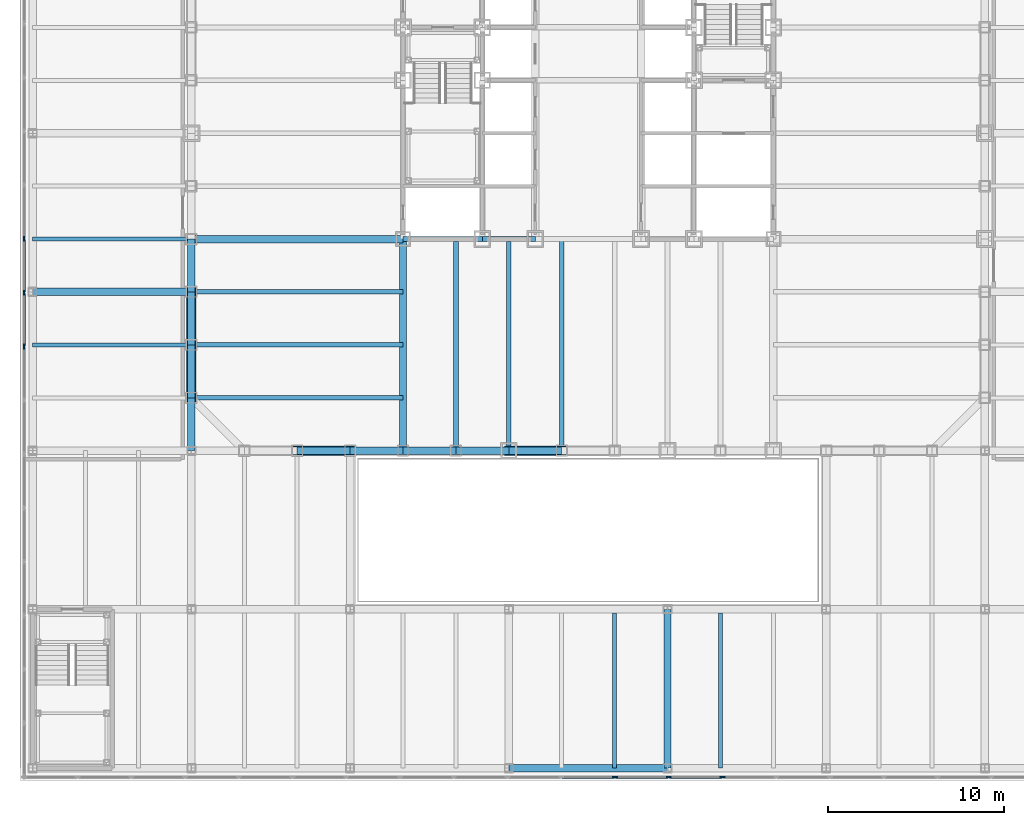
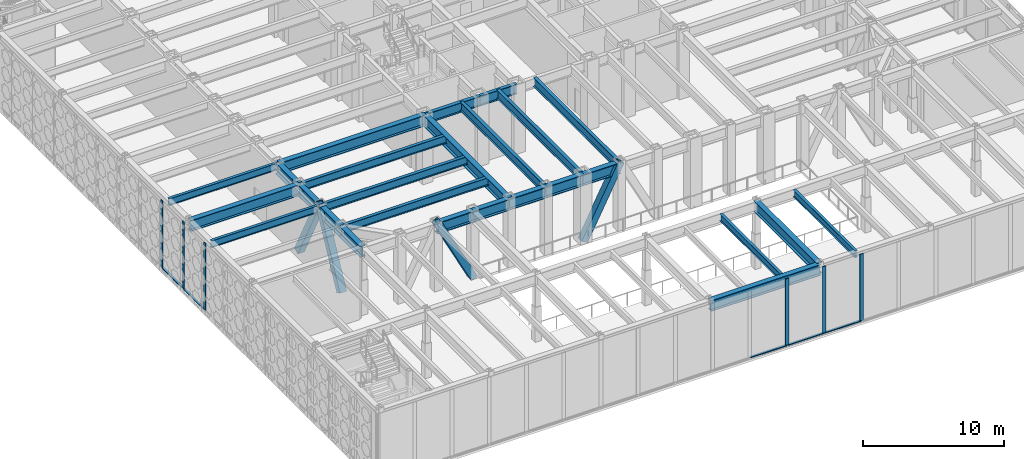
# One storey, part 4 of 32: 26 beams, 15 members, 2 elements without a shape of their own.
"""IFC4 building model written with IfcOpenShell, lengths in metres."""

from ifc_helpers import new_model, si_unit, direction, frame, origin, origin_2d, place, context, subcontext, project, spatial, rectangle, hollow_rectangle, i_section, extrude, material, layer, layer_set, material_profile, profile_set, type_object, element, aggregate, save


model = new_model("IFC4")

# Units and contexts
model_context = context("Model", 3, precision=1e-05, world=origin(), true_north=direction((0.0, 1.0)))
body_context = subcontext(model_context, "Body", "Model", "MODEL_VIEW")
ifc_project = project(units=[si_unit("LENGTHUNIT", "METRE"), si_unit("AREAUNIT", "SQUARE_METRE"), si_unit("VOLUMEUNIT", "CUBIC_METRE"), si_unit("PLANEANGLEUNIT", "RADIAN"), si_unit("MASSUNIT", "GRAM", prefix="KILO")], contexts=[model_context])

# Site, building, storey
site_placement = place(None, origin())
site = spatial("IfcSite", under=ifc_project, at=site_placement, CompositionType="ELEMENT")
building_placement = place(site_placement, origin())
building = spatial("IfcBuilding", under=site, at=building_placement, Name="Chuquiago Exchange Tower", CompositionType="ELEMENT")
storey_placement = place(building_placement, frame((0.0, 0.0, 13.5)))
storey = spatial("IfcBuildingStorey", under=building, at=storey_placement, Name="L02", CompositionType="ELEMENT", Elevation=13.5)

# Beams
ifc_material_1 = material(Name="Steel ASTM A992", Category="steel")
ifc_material_profile_1 = material_profile(ifc_material_1, i_section(OverallWidth=0.2919921875, OverallDepth=0.8583984375, WebThickness=0.01708984375, FlangeThickness=0.031005859375, at=origin_2d()), Name="W33X169")
ifc_profile_set_1 = profile_set([ifc_material_profile_1], Name="Steel ASTM A992")
beam_type_1 = type_object("IfcBeamType", Name="B3 W33X169", PredefinedType="BEAM", material=ifc_profile_set_1)
beam_1_placement = place(storey_placement, frame((12.0, 12.0, 5.37060546875), z_axis=(1.0, 0.0, 0.0), x_axis=(0.0, 1.0, 0.0)))
element("IfcBeam", 1, at=beam_1_placement, inside=storey, type_object=beam_type_1, Name="CB-L03-12_12-16.5_12", PredefinedType="BEAM", context=body_context, shape_type="SweptSolid", body=[
    extrude(i_section(OverallWidth=0.2919921875, OverallDepth=0.8583984375, WebThickness=0.01708984375, FlangeThickness=0.031005859375, at=origin_2d()), origin(), (0.0, 0.0, 1.0), 4.5),
])
beam_2_placement = place(storey_placement, frame((16.5, 12.0, 5.37060546875), z_axis=(1.0, 0.0, 0.0), x_axis=(0.0, 1.0, 0.0)))
element("IfcBeam", 2, at=beam_2_placement, inside=storey, type_object=beam_type_1, Name="CB-L03-16.5_12-19.5_12", PredefinedType="BEAM", context=body_context, shape_type="SweptSolid", body=[
    extrude(i_section(OverallWidth=0.2919921875, OverallDepth=0.8583984375, WebThickness=0.01708984375, FlangeThickness=0.031005859375, at=origin_2d()), origin(), (0.0, 0.0, 1.0), 3.0),
])
ifc_material_2 = material(Name="Steel ASTM A992", Category="steel")
ifc_material_profile_2 = material_profile(ifc_material_2, i_section(OverallWidth=0.2666015625, OverallDepth=0.761962890625, WebThickness=0.014404296875, FlangeThickness=0.021484375, at=origin_2d()), Name="W30X116")
ifc_profile_set_2 = profile_set([ifc_material_profile_2], Name="Steel ASTM A992")
beam_type_2 = type_object("IfcBeamType", Name="B8 W30X116", PredefinedType="BEAM", material=ifc_profile_set_2)
for number, where, z_axis, x_axis, name in (
    (3, (15.0, 12.0, 5.4189453125), (0.0, -1.0, 0.0), (1.0, 0.0, 0.0), "FB-L03-infill-15_12-15_-0-0"),
    (4, (18.0, 12.0, 5.4189453125), (0.0, -1.0, 0.0), (1.0, 0.0, 0.0), "FB-L03-infill-18_12-18_-0-0"),
    (5, (21.0, 12.0, 5.4189453125), (0.0, -1.0, 0.0), (1.0, 0.0, 0.0), "FB-L03-infill-21_12-21_-0-0"),
):
    element("IfcBeam", number, at=place(storey_placement, frame(where, z_axis=z_axis, x_axis=x_axis)), inside=storey, type_object=beam_type_2, Name=name, PredefinedType="BEAM", context=body_context, shape_type="SweptSolid", body=[
        extrude(i_section(OverallWidth=0.2666015625, OverallDepth=0.761962890625, WebThickness=0.014404296875, FlangeThickness=0.021484375, at=origin_2d()), origin(), (0.0, 0.0, 1.0), 12.0),
    ])
ifc_material_3 = material(Name="Steel ASTM A992", Category="steel")
ifc_material_profile_3 = material_profile(ifc_material_3, i_section(OverallWidth=0.256591796875, OverallDepth=0.693359375, WebThickness=0.014404296875, FlangeThickness=0.023681640625, at=origin_2d()), Name="W27X114")
ifc_profile_set_3 = profile_set([ifc_material_profile_3], Name="Steel ASTM A992")
beam_type_3 = type_object("IfcBeamType", Name="B9 W27X114", PredefinedType="BEAM", material=ifc_profile_set_3)
for number, where, z_axis, x_axis, name in (
    (6, (12.0, 3.0, 5.453369140625), (-1.0, 0.0, 0.0), (0.0, -1.0, 0.0), "FB-L03-corner-12_3--0_3-0"),
    (7, (12.0, 6.0, 5.453369140625), (-1.0, 0.0, 0.0), (0.0, -1.0, 0.0), "FB-L03-corner-12_6--0_6-0"),
    (8, (12.0, 9.0, 5.453369140625), (-1.0, 0.0, 0.0), (0.0, -1.0, 0.0), "FB-L03-corner-12_9--0_9-0"),
):
    element("IfcBeam", number, at=place(storey_placement, frame(where, z_axis=z_axis, x_axis=x_axis)), inside=storey, type_object=beam_type_3, Name=name, PredefinedType="BEAM", context=body_context, shape_type="SweptSolid", body=[
        extrude(i_section(OverallWidth=0.256591796875, OverallDepth=0.693359375, WebThickness=0.014404296875, FlangeThickness=0.023681640625, at=origin_2d()), origin(), (0.0, 0.0, 1.0), 12.0),
    ])

# Curtain wall, members
ifc_material_4 = material(Name="Aluminium curtain wall system", Category="aluminium")
ifc_layer = layer(ifc_material_4, 0.300048828125)
ifc_layer_set = layer_set([ifc_layer], Name="CW4 podium curtain wall")
curtain_wall_type = type_object("IfcCurtainWallType", Name="CW4 podium curtain wall", PredefinedType="NOTDEFINED", material=ifc_layer_set)
curtain_wall_1_placement = place(storey_placement, origin())
curtain_wall_1 = element("IfcCurtainWall", 9, at=curtain_wall_1_placement, inside=storey, type_object=curtain_wall_type, Name="CW4 curtain wall L02", PredefinedType="NOTDEFINED")
ifc_material_5 = material(Name="Aluminium mullion, pale anodised", Category="aluminium")
ifc_material_profile_4 = material_profile(ifc_material_5, rectangle(XDim=0.074951171875, YDim=0.300048828125, at=origin_2d()), Name="AL 75x300")
ifc_profile_set_4 = profile_set([ifc_material_profile_4], Name="Aluminium mullion, pale anodised")
member_type_1 = type_object("IfcMemberType", Name="CW4-M mullion 75x300", PredefinedType="MULLION", material=ifc_profile_set_4)
member_1_placement = place(storey_placement, frame((24.02392578125, -18.5, 0.0), z_axis=(0.0, 0.0, 1.0), x_axis=(0.0, 1.0, 0.0)))
member_1 = element("IfcMember", 10, at=member_1_placement, type_object=member_type_1, Name="CW4 mullion 12", PredefinedType="MULLION", context=body_context, shape_type="SweptSolid", body=[
    extrude(rectangle(XDim=0.074951171875, YDim=0.300048828125, at=origin_2d()), origin(), (0.0, 0.0, 1.0), 5.800048828125),
])
member_2_placement = place(storey_placement, frame((27.071533203125, -18.5, 0.0), z_axis=(0.0, 0.0, 1.0), x_axis=(0.0, 1.0, 0.0)))
member_2 = element("IfcMember", 11, at=member_2_placement, type_object=member_type_1, Name="CW4 mullion 13", PredefinedType="MULLION", context=body_context, shape_type="SweptSolid", body=[
    extrude(rectangle(XDim=0.074951171875, YDim=0.300048828125, at=origin_2d()), origin(), (0.0, 0.0, 1.0), 5.800048828125),
])
member_3_placement = place(storey_placement, frame((30.119140625, -18.5, 0.0), z_axis=(0.0, 0.0, 1.0), x_axis=(0.0, 1.0, 0.0)))
member_3 = element("IfcMember", 12, at=member_3_placement, type_object=member_type_1, Name="CW4 mullion 14", PredefinedType="MULLION", context=body_context, shape_type="SweptSolid", body=[
    extrude(rectangle(XDim=0.074951171875, YDim=0.300048828125, at=origin_2d()), origin(), (0.0, 0.0, 1.0), 5.800048828125),
])

curtain_wall_2_placement = place(storey_placement, origin())
curtain_wall_2 = element("IfcCurtainWall", 13, at=curtain_wall_2_placement, inside=storey, type_object=curtain_wall_type, Name="CW4 curtain wall L02", PredefinedType="NOTDEFINED")
member_4_placement = place(storey_placement, frame((-9.5, 12.011962890625, 0.0), z_axis=(0.0, 0.0, 1.0), x_axis=(1.0, 0.0, 0.0)))
member_4 = element("IfcMember", 14, at=member_4_placement, type_object=member_type_1, Name="CW4 mullion 12", PredefinedType="MULLION", context=body_context, shape_type="SweptSolid", body=[
    extrude(rectangle(XDim=0.074951171875, YDim=0.300048828125, at=origin_2d()), origin(), (0.0, 0.0, 1.0), 5.800048828125),
])
member_5_placement = place(storey_placement, frame((-9.5, 8.960693359375, 0.0), z_axis=(0.0, 0.0, 1.0), x_axis=(1.0, 0.0, 0.0)))
member_5 = element("IfcMember", 15, at=member_5_placement, type_object=member_type_1, Name="CW4 mullion 13", PredefinedType="MULLION", context=body_context, shape_type="SweptSolid", body=[
    extrude(rectangle(XDim=0.074951171875, YDim=0.300048828125, at=origin_2d()), origin(), (0.0, 0.0, 1.0), 5.800048828125),
])
member_6_placement = place(storey_placement, frame((-9.5, 5.909423828125, 0.0), z_axis=(0.0, 0.0, 1.0), x_axis=(1.0, 0.0, 0.0)))
member_6 = element("IfcMember", 16, at=member_6_placement, type_object=member_type_1, Name="CW4 mullion 14", PredefinedType="MULLION", context=body_context, shape_type="SweptSolid", body=[
    extrude(rectangle(XDim=0.074951171875, YDim=0.300048828125, at=origin_2d()), origin(), (0.0, 0.0, 1.0), 5.800048828125),
])

# Member
ifc_material_6 = material(Name="Aluminium transom, pale anodised", Category="aluminium")
ifc_material_profile_5 = material_profile(ifc_material_6, rectangle(XDim=0.179931640625, YDim=0.074951171875, at=origin_2d()), Name="AL 180x75")
ifc_profile_set_5 = profile_set([ifc_material_profile_5], Name="Aluminium transom, pale anodised")
member_type_2 = type_object("IfcMemberType", Name="CW4-T transom 75x180", PredefinedType="MULLION", material=ifc_profile_set_5)
member_7_placement = place(storey_placement, frame((21.013671875, -18.5, 0.03759765625), z_axis=(1.0, 0.0, 0.0), x_axis=(0.0, 1.0, 0.0)))
member_7 = element("IfcMember", 17, at=member_7_placement, type_object=member_type_2, Name="CW4 transom 11.1", PredefinedType="MULLION", context=body_context, shape_type="SweptSolid", body=[
    extrude(rectangle(XDim=0.179931640625, YDim=0.074951171875, at=origin_2d()), origin(), (0.0, 0.0, 1.0), 2.97265625),
])

member_8_placement = place(storey_placement, frame((24.061279296875, -18.5, 0.03759765625), z_axis=(1.0, 0.0, 0.0), x_axis=(0.0, 1.0, 0.0)))
member_8 = element("IfcMember", 18, at=member_8_placement, type_object=member_type_2, Name="CW4 transom 12.1", PredefinedType="MULLION", context=body_context, shape_type="SweptSolid", body=[
    extrude(rectangle(XDim=0.179931640625, YDim=0.074951171875, at=origin_2d()), origin(), (0.0, 0.0, 1.0), 2.97265625),
])

member_9_placement = place(storey_placement, frame((27.10888671875, -18.5, 0.03759765625), z_axis=(1.0, 0.0, 0.0), x_axis=(0.0, 1.0, 0.0)))
member_9 = element("IfcMember", 19, at=member_9_placement, type_object=member_type_2, Name="CW4 transom 13.1", PredefinedType="MULLION", context=body_context, shape_type="SweptSolid", body=[
    extrude(rectangle(XDim=0.179931640625, YDim=0.074951171875, at=origin_2d()), origin(), (0.0, 0.0, 1.0), 2.97265625),
])

aggregate(curtain_wall_1, [member_1, member_2, member_3, member_7, member_8, member_9])

member_10_placement = place(storey_placement, frame((-9.5, 11.974365234375, 0.03759765625), z_axis=(0.0, -1.0, 0.0), x_axis=(1.0, 0.0, 0.0)))
member_10 = element("IfcMember", 20, at=member_10_placement, type_object=member_type_2, Name="CW4 transom 12.1", PredefinedType="MULLION", context=body_context, shape_type="SweptSolid", body=[
    extrude(rectangle(XDim=0.179931640625, YDim=0.074951171875, at=origin_2d()), origin(), (0.0, 0.0, 1.0), 2.97607421875),
])

member_11_placement = place(storey_placement, frame((-9.5, 8.923095703125, 0.03759765625), z_axis=(0.0, -1.0, 0.0), x_axis=(1.0, 0.0, 0.0)))
member_11 = element("IfcMember", 21, at=member_11_placement, type_object=member_type_2, Name="CW4 transom 13.1", PredefinedType="MULLION", context=body_context, shape_type="SweptSolid", body=[
    extrude(rectangle(XDim=0.179931640625, YDim=0.074951171875, at=origin_2d()), origin(), (0.0, 0.0, 1.0), 2.97607421875),
])

aggregate(curtain_wall_2, [member_4, member_5, member_6, member_10, member_11])

# Beams
ifc_material_7 = material(Name="Steel ASTM A992", Category="steel")
ifc_material_profile_6 = material_profile(ifc_material_7, i_section(OverallWidth=0.424072265625, OverallDepth=0.947509765625, WebThickness=0.02392578125, FlangeThickness=0.042724609375, at=origin_2d()), Name="W36X302")
ifc_profile_set_6 = profile_set([ifc_material_profile_6], Name="Steel ASTM A992")
beam_type_4 = type_object("IfcBeamType", Name="G4 W36X302", PredefinedType="BEAM", material=ifc_profile_set_6)
for number, where, z_axis, x_axis, name in (
    (22, (12.0, 12.0, 5.326416015625), (0.0, -1.0, 0.0), (1.0, 0.0, 0.0), "FB-L03-girder-12_12-12_-0-0"),
    (23, (12.0, 12.0, 5.326416015625), (-1.0, 0.0, 0.0), (0.0, -1.0, 0.0), "FB-L03-girder-12_12--0_12-0"),
):
    element("IfcBeam", number, at=place(storey_placement, frame(where, z_axis=z_axis, x_axis=x_axis)), inside=storey, type_object=beam_type_4, Name=name, PredefinedType="BEAM", context=body_context, shape_type="SweptSolid", body=[
        extrude(i_section(OverallWidth=0.424072265625, OverallDepth=0.947509765625, WebThickness=0.02392578125, FlangeThickness=0.042724609375, at=origin_2d()), origin(), (0.0, 0.0, 1.0), 12.0),
    ])

# Members
ifc_material_8 = material(Name="Steel ASTM A572 Grade 50", Category="steel")
ifc_material_profile_7 = material_profile(ifc_material_8, hollow_rectangle(XDim=0.550048828125, YDim=0.550048828125, WallThickness=0.044921875, at=origin_2d()), Name="BOX550X550X45")
ifc_profile_set_7 = profile_set([ifc_material_profile_7], Name="Steel ASTM A572 Grade 50")
member_type_3 = type_object("IfcMemberType", Name="MB1 BOX550X550X45", PredefinedType="BRACE", material=ifc_profile_set_7)
for number, where, z_axis, x_axis, name in (
    (24, (9.0, 0.0, 0.0), (-0.456929540486, 0.0, 0.889502892087), (0.0, -1.0, 0.0), "Mega diagonal L02 S face"),
    (25, (18.0, 0.0, 0.0), (0.456929540486, 0.0, 0.889502892087), (0.0, 1.0, 0.0), "Mega diagonal L02 S face"),
    (26, (0.0, 9.0, 0.0), (0.0, -0.456929540486, 0.889502892087), (1.0, 0.0, 0.0), "Mega diagonal L02 W face"),
    (27, (0.0, 3.0, 0.0), (0.0, 0.456929540486, 0.889502892087), (-1.0, 0.0, 0.0), "Mega diagonal L02 W face"),
):
    element("IfcMember", number, at=place(storey_placement, frame(where, z_axis=z_axis, x_axis=x_axis)), inside=storey, type_object=member_type_3, Name=name, PredefinedType="BRACE", context=body_context, shape_type="SweptSolid", body=[
        extrude(hollow_rectangle(XDim=0.550048828125, YDim=0.550048828125, WallThickness=0.044921875, at=origin_2d()), origin(), (0.0, 0.0, 1.0), 6.565673828125),
    ])

# Beams
ifc_material_9 = material(Name="Steel ASTM A992", Category="steel")
ifc_material_profile_8 = material_profile(ifc_material_9, i_section(OverallWidth=0.227783203125, OverallDepth=0.60205078125, WebThickness=0.010498046875, FlangeThickness=0.014892578125, at=origin_2d()), Name="W24X68")
ifc_profile_set_8 = profile_set([ifc_material_profile_8], Name="Steel ASTM A992")
beam_type_5 = type_object("IfcBeamType", Name="PB1 W24X68", PredefinedType="BEAM", material=ifc_profile_set_8)
for number, where, z_axis, x_axis, name in (
    (28, (24.0, -18.0, 5.4990234375), (0.0, 1.0, 0.0), (-1.0, 0.0, 0.0), "PB-L03-24_-18"),
    (29, (30.0, -18.0, 5.4990234375), (0.0, 1.0, 0.0), (-1.0, 0.0, 0.0), "PB-L03-30_-18"),
):
    element("IfcBeam", number, at=place(storey_placement, frame(where, z_axis=z_axis, x_axis=x_axis)), inside=storey, type_object=beam_type_5, Name=name, PredefinedType="BEAM", context=body_context, shape_type="SweptSolid", body=[
        extrude(i_section(OverallWidth=0.227783203125, OverallDepth=0.60205078125, WebThickness=0.010498046875, FlangeThickness=0.014892578125, at=origin_2d()), origin(), (0.0, 0.0, 1.0), 8.787841796875),
    ])
for number, where, z_axis, x_axis, name in (
    (30, (-9.0, 6.0, 5.4990234375), (1.0, 0.0, 0.0), (0.0, 1.0, 0.0), "PB-L03--9_6"),
    (31, (-9.0, 12.0, 5.4990234375), (1.0, 0.0, 0.0), (0.0, 1.0, 0.0), "PB-L03--9_12"),
):
    element("IfcBeam", number, at=place(storey_placement, frame(where, z_axis=z_axis, x_axis=x_axis)), inside=storey, type_object=beam_type_5, Name=name, PredefinedType="BEAM", context=body_context, shape_type="SweptSolid", body=[
        extrude(i_section(OverallWidth=0.227783203125, OverallDepth=0.60205078125, WebThickness=0.010498046875, FlangeThickness=0.014892578125, at=origin_2d()), origin(), (0.0, 0.0, 1.0), 9.0),
    ])
ifc_material_10 = material(Name="Steel ASTM A992", Category="steel")
ifc_material_profile_9 = material_profile(ifc_material_10, i_section(OverallWidth=0.424072265625, OverallDepth=0.947509765625, WebThickness=0.02392578125, FlangeThickness=0.042724609375, at=origin_2d()), Name="W36X302")
ifc_profile_set_9 = profile_set([ifc_material_profile_9], Name="Steel ASTM A992")
beam_type_6 = type_object("IfcBeamType", Name="PG1 W36X302", PredefinedType="BEAM", material=ifc_profile_set_9)
beam_3_placement = place(storey_placement, frame((0.0, 0.0, 5.326416015625), z_axis=(0.0, 1.0, 0.0), x_axis=(-1.0, 0.0, 0.0)))
element("IfcBeam", 32, at=beam_3_placement, inside=storey, type_object=beam_type_6, Name="PG-L03-0_0-0_3", PredefinedType="BEAM", context=body_context, shape_type="SweptSolid", body=[
    extrude(i_section(OverallWidth=0.424072265625, OverallDepth=0.947509765625, WebThickness=0.02392578125, FlangeThickness=0.042724609375, at=origin_2d()), origin(), (0.0, 0.0, 1.0), 3.0),
])
for number, where, z_axis, x_axis, name in (
    (33, (27.0, -18.0, 5.326416015625), (0.0, 1.0, 0.0), (-1.0, 0.0, 0.0), "PG-L03-27_-18-27_-9"),
    (34, (18.0, -18.0, 5.326416015625), (1.0, 0.0, 0.0), (0.0, 1.0, 0.0), "PG-L03-18_-18-27_-18"),
    (35, (-9.0, 9.0, 5.326416015625), (1.0, 0.0, 0.0), (0.0, 1.0, 0.0), "PG-L03--9_9-0_9"),
):
    element("IfcBeam", number, at=place(storey_placement, frame(where, z_axis=z_axis, x_axis=x_axis)), inside=storey, type_object=beam_type_6, Name=name, PredefinedType="BEAM", context=body_context, shape_type="SweptSolid", body=[
        extrude(i_section(OverallWidth=0.424072265625, OverallDepth=0.947509765625, WebThickness=0.02392578125, FlangeThickness=0.042724609375, at=origin_2d()), origin(), (0.0, 0.0, 1.0), 9.0),
    ])
ifc_material_11 = material(Name="Steel ASTM A992", Category="steel")
ifc_material_profile_10 = material_profile(ifc_material_11, i_section(OverallWidth=0.4267578125, OverallDepth=0.95751953125, WebThickness=0.028564453125, FlangeThickness=0.050048828125, at=origin_2d()), Name="W36X361")
ifc_profile_set_10 = profile_set([ifc_material_profile_10], Name="Steel ASTM A992")
beam_type_7 = type_object("IfcBeamType", Name="SP1 W36X361", PredefinedType="SPANDREL", material=ifc_profile_set_10)
for number, where, z_axis, x_axis, name in (
    (36, (6.0, 0.0, 5.3212890625), (1.0, 0.0, 0.0), (0.0, 1.0, 0.0), "SPB-L03-6_0-9_0"),
    (37, (9.0, 0.0, 5.3212890625), (1.0, 0.0, 0.0), (0.0, 1.0, 0.0), "SPB-L03-9_0-12_0"),
    (38, (12.0, 0.0, 5.3212890625), (1.0, 0.0, 0.0), (0.0, 1.0, 0.0), "SPB-L03-12_0-15_0"),
    (39, (15.0, 0.0, 5.3212890625), (1.0, 0.0, 0.0), (0.0, 1.0, 0.0), "SPB-L03-15_0-18_0"),
    (40, (18.0, 0.0, 5.3212890625), (1.0, 0.0, 0.0), (0.0, 1.0, 0.0), "SPB-L03-18_0-21_0"),
    (41, (0.0, 12.0, 5.3212890625), (0.0, -1.0, 0.0), (1.0, 0.0, 0.0), "SPB-L03-0_12-0_9"),
    (42, (0.0, 9.0, 5.3212890625), (0.0, -1.0, 0.0), (1.0, 0.0, 0.0), "SPB-L03-0_9-0_6"),
    (43, (0.0, 6.0, 5.3212890625), (0.0, -1.0, 0.0), (1.0, 0.0, 0.0), "SPB-L03-0_6-0_3"),
):
    element("IfcBeam", number, at=place(storey_placement, frame(where, z_axis=z_axis, x_axis=x_axis)), inside=storey, type_object=beam_type_7, Name=name, PredefinedType="SPANDREL", context=body_context, shape_type="SweptSolid", body=[
        extrude(i_section(OverallWidth=0.4267578125, OverallDepth=0.95751953125, WebThickness=0.028564453125, FlangeThickness=0.050048828125, at=origin_2d()), origin(), (0.0, 0.0, 1.0), 3.0),
    ])

save(model, "model.ifc")
